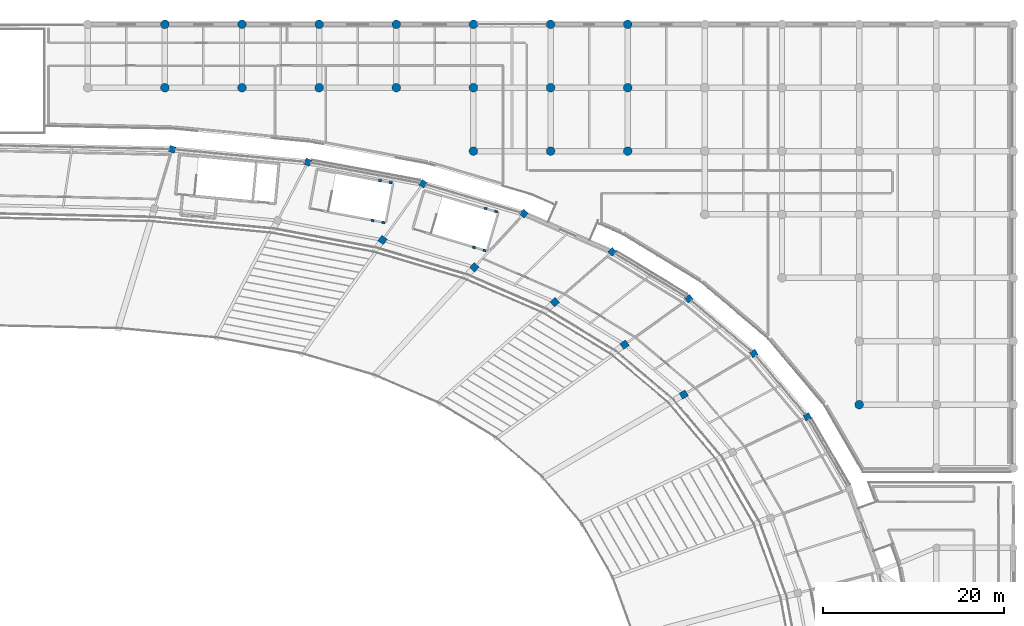
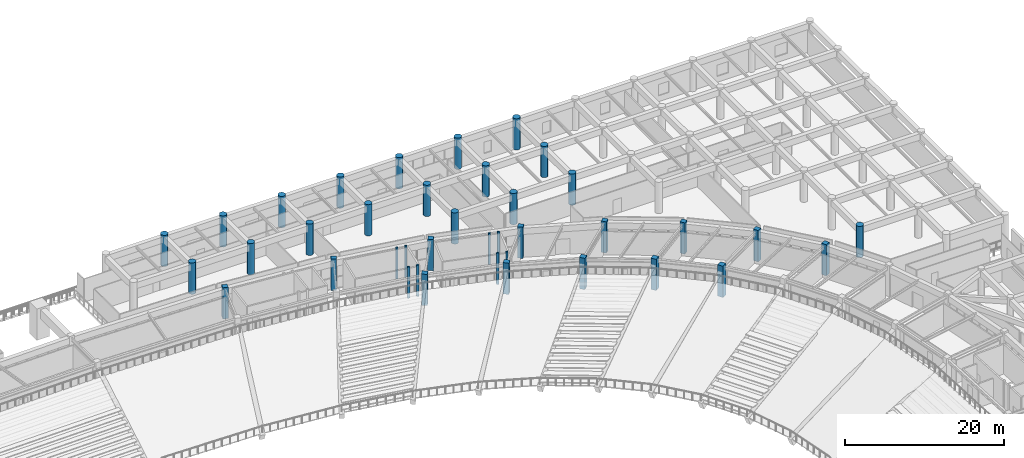
# One storey, part 9 of 137: 39 columns.
"""IFC4 building model written with IfcOpenShell, lengths in metres."""

from ifc_helpers import new_model, si_unit, direction, frame, origin, origin_2d, place, context, subcontext, project, spatial, rectangle, circle, extrude, material, material_profile, profile_set, type_object, element, save


model = new_model("IFC4")

# Units and contexts
model_context = context("Model", 3, precision=1e-05, world=origin(), true_north=direction((0.0, 1.0)))
body_context = subcontext(model_context, "Body", "Model", "MODEL_VIEW")
ifc_project = project(units=[si_unit("LENGTHUNIT", "METRE"), si_unit("AREAUNIT", "SQUARE_METRE"), si_unit("VOLUMEUNIT", "CUBIC_METRE"), si_unit("PLANEANGLEUNIT", "RADIAN"), si_unit("MASSUNIT", "GRAM", prefix="KILO")], contexts=[model_context])

# Site, building, storey
site_placement = place(None, origin())
site = spatial("IfcSite", under=ifc_project, at=site_placement, CompositionType="ELEMENT")
building_placement = place(site_placement, origin())
building = spatial("IfcBuilding", under=site, at=building_placement, Name="Mphavela Belvedere Stadium", CompositionType="ELEMENT")
storey_placement = place(building_placement, frame((0.0, 0.0, 19.199951171875)))
storey = spatial("IfcBuildingStorey", under=building, at=storey_placement, Name="L04", CompositionType="ELEMENT", Elevation=19.199951171875)

# Columns
ifc_material_1 = material(Name="Concrete C40/50", Category="concrete")
ifc_material_profile_1 = material_profile(ifc_material_1, rectangle(XDim=0.300048828125, YDim=0.219970703125, at=origin_2d()), Name="RC 300x220")
ifc_profile_set_1 = profile_set([ifc_material_profile_1], Name="Concrete C40/50")
column_type_1 = type_object("IfcColumnType", Name="COL-CORE-POST-300", PredefinedType="COLUMN", material=ifc_profile_set_1)
for number, where, z_axis, x_axis, name in (
    (1, (170.44189453125, 149.372802734375, 0.0), (0.0, 0.0, 1.0), (0.958670893355, -0.284517342588, 0.0), "Core P01 stair frame column L04-1"),
    (2, (171.59228515625, 149.031494140625, 0.0), (0.0, 0.0, 1.0), (0.958670893355, -0.284517342588, 0.0), "Core P01 stair frame column L04-2"),
    (3, (172.8642578125, 153.316650390625, 0.0), (0.0, 0.0, 1.0), (0.958670893355, -0.284517342588, 0.0), "Core P01 stair frame column L04-3"),
    (4, (171.7138671875, 153.658203125, 0.0), (0.0, 0.0, 1.0), (0.958670893355, -0.284517342588, 0.0), "Core P01 stair frame column L04-4"),
    (5, (159.233154296875, 152.34033203125, 0.0), (0.0, 0.0, 1.0), (0.983095502692, -0.183093507769, 0.0), "Core P02 stair frame column L04-1"),
    (6, (160.4130859375, 152.12060546875, 0.0), (0.0, 0.0, 1.0), (0.983095502692, -0.183093507769, 0.0), "Core P02 stair frame column L04-2"),
    (7, (161.2314453125, 156.514892578125, 0.0), (0.0, 0.0, 1.0), (0.983095502692, -0.183093507769, 0.0), "Core P02 stair frame column L04-3"),
    (8, (160.0517578125, 156.734619140625, 0.0), (0.0, 0.0, 1.0), (0.983095502692, -0.183093507769, 0.0), "Core P02 stair frame column L04-4"),
):
    element("IfcColumn", number, at=place(storey_placement, frame(where, z_axis=z_axis, x_axis=x_axis)), inside=storey, type_object=column_type_1, Name=name, PredefinedType="COLUMN", context=body_context, shape_type="SweptSolid", body=[
        extrude(rectangle(XDim=0.300048828125, YDim=0.219970703125, at=origin_2d()), origin(), (0.0, 0.0, 1.0), 4.800048828125),
    ])
ifc_material_2 = material(Name="Concrete C40/50", Category="concrete")
ifc_material_profile_2 = material_profile(ifc_material_2, circle(Radius=0.47509765625, at=origin_2d()), Name="COL D950")
ifc_profile_set_2 = profile_set([ifc_material_profile_2], Name="Concrete C40/50")
column_type_2 = type_object("IfcColumnType", Name="COL-DORIC-950", PredefinedType="COLUMN", material=ifc_profile_set_2)
for number, where, z_axis, x_axis, name in (
    (9, (136.2958984375, 167.0, 0.0), (0.0, 0.0, 1.0), (1.0, 0.0, 0.0), "North Mast and Ceremonial End Forecourt classical column L04 17-7"),
    (10, (136.2958984375, 174.0, 0.0), (0.0, 0.0, 1.0), (1.0, 0.0, 0.0), "North Mast and Ceremonial End Forecourt classical column L04 17-8"),
    (11, (144.81494140625, 167.0, 0.0), (0.0, 0.0, 1.0), (1.0, 0.0, 0.0), "North Mast and Ceremonial End Forecourt classical column L04 18-7"),
    (12, (144.81494140625, 174.0, 0.0), (0.0, 0.0, 1.0), (1.0, 0.0, 0.0), "North Mast and Ceremonial End Forecourt classical column L04 18-8"),
    (13, (153.3330078125, 167.0, 0.0), (0.0, 0.0, 1.0), (1.0, 0.0, 0.0), "North Mast and Ceremonial End Forecourt classical column L04 19-7"),
    (14, (153.3330078125, 174.0, 0.0), (0.0, 0.0, 1.0), (1.0, 0.0, 0.0), "North Mast and Ceremonial End Forecourt classical column L04 19-8"),
    (15, (161.85205078125, 167.0, 0.0), (0.0, 0.0, 1.0), (1.0, 0.0, 0.0), "North Mast and Ceremonial End Forecourt classical column L04 20-7"),
    (16, (161.85205078125, 174.0, 0.0), (0.0, 0.0, 1.0), (1.0, 0.0, 0.0), "North Mast and Ceremonial End Forecourt classical column L04 20-8"),
    (17, (170.3701171875, 160.0, 0.0), (0.0, 0.0, 1.0), (1.0, 0.0, 0.0), "North Mast and Ceremonial End Forecourt classical column L04 21-6"),
    (18, (170.3701171875, 167.0, 0.0), (0.0, 0.0, 1.0), (1.0, 0.0, 0.0), "North Mast and Ceremonial End Forecourt classical column L04 21-7"),
    (19, (170.3701171875, 174.0, 0.0), (0.0, 0.0, 1.0), (1.0, 0.0, 0.0), "North Mast and Ceremonial End Forecourt classical column L04 21-8"),
    (20, (178.888916015625, 160.0, 0.0), (0.0, 0.0, 1.0), (1.0, 0.0, 0.0), "North Mast and Ceremonial End Forecourt classical column L04 22-6"),
    (21, (178.888916015625, 167.0, 0.0), (0.0, 0.0, 1.0), (1.0, 0.0, 0.0), "North Mast and Ceremonial End Forecourt classical column L04 22-7"),
    (22, (178.888916015625, 174.0, 0.0), (0.0, 0.0, 1.0), (1.0, 0.0, 0.0), "North Mast and Ceremonial End Forecourt classical column L04 22-8"),
    (23, (187.406982421875, 160.0, 0.0), (0.0, 0.0, 1.0), (1.0, 0.0, 0.0), "North Mast and Ceremonial End Forecourt classical column L04 23-6"),
    (24, (187.406982421875, 167.0, 0.0), (0.0, 0.0, 1.0), (1.0, 0.0, 0.0), "North Mast and Ceremonial End Forecourt classical column L04 23-7"),
    (25, (187.406982421875, 174.0, 0.0), (0.0, 0.0, 1.0), (1.0, 0.0, 0.0), "North Mast and Ceremonial End Forecourt classical column L04 23-8"),
    (26, (212.962890625, 132.0, 0.0), (0.0, 0.0, 1.0), (1.0, 0.0, 0.0), "North Mast and Ceremonial End Forecourt classical column L04 26-2"),
):
    element("IfcColumn", number, at=place(storey_placement, frame(where, z_axis=z_axis, x_axis=x_axis)), inside=storey, type_object=column_type_2, Name=name, PredefinedType="COLUMN", context=body_context, shape_type="SweptSolid", body=[
        extrude(circle(Radius=0.47509765625, at=origin_2d()), origin(), (0.0, 0.0, 1.0), 4.800048828125),
    ])
ifc_material_3 = material(Name="Concrete C40/50", Category="concrete")
ifc_material_profile_3 = material_profile(ifc_material_3, rectangle(XDim=0.699951171875, YDim=0.699951171875, at=origin_2d()), Name="RC 700x700")
ifc_profile_set_3 = profile_set([ifc_material_profile_3], Name="Concrete C40/50")
column_type_3 = type_object("IfcColumnType", Name="COL-RC700", PredefinedType="COLUMN", material=ifc_profile_set_3)
for number, where, z_axis, x_axis, name in (
    (27, (207.242431640625, 130.66162109375, 0.0), (0.0, 0.0, 1.0), (0.903858661687, 0.4278311813, 0.0), "Outer colonnade column L04 R4-05"),
    (28, (201.33837890625, 137.653564453125, 0.0), (0.0, 0.0, 1.0), (0.862513669207, 0.506033764121, 0.0), "Outer colonnade column L04 R4-06"),
    (29, (194.155517578125, 143.714599609375, 0.0), (0.0, 0.0, 1.0), (0.812897512265, 0.582406760395, 0.0), "Outer colonnade column L04 R4-07"),
    (30, (185.6962890625, 148.86083984375, 0.0), (0.0, 0.0, 1.0), (0.752529860433, 0.658558128912, 0.0), "Outer colonnade column L04 R4-08"),
    (31, (175.9375, 153.09130859375, 0.0), (0.0, 0.0, 1.0), (0.677903094969, 0.735151272753, 0.0), "Outer colonnade column L04 R4-09"),
    (32, (164.80126953125, 156.39697265625, 0.0), (0.0, 0.0, 1.0), (0.582974127943, 0.812490717577, 0.0), "Outer colonnade column L04 R4-10"),
    (33, (152.07275390625, 158.767333984375, 0.0), (0.0, 0.0, 1.0), (0.458959712465, 0.888457079624, 0.0), "Outer colonnade column L04 R4-11"),
    (34, (137.114501953125, 160.19384765625, 0.0), (0.0, 0.0, 1.0), (0.289198876314, 0.957269037387, 0.0), "Outer colonnade column L04 R4-12"),
):
    element("IfcColumn", number, at=place(storey_placement, frame(where, z_axis=z_axis, x_axis=x_axis)), inside=storey, type_object=column_type_3, Name=name, PredefinedType="COLUMN", context=body_context, shape_type="SweptSolid", body=[
        extrude(rectangle(XDim=0.699951171875, YDim=0.699951171875, at=origin_2d()), origin(), (0.0, 0.0, 1.0), 4.800048828125),
    ])
ifc_material_4 = material(Name="Concrete C40/50", Category="concrete")
ifc_material_profile_4 = material_profile(ifc_material_4, rectangle(XDim=0.75, YDim=0.75, at=origin_2d()), Name="RC 750x750")
ifc_profile_set_4 = profile_set([ifc_material_profile_4], Name="Concrete C40/50")
column_type_4 = type_object("IfcColumnType", Name="COL-RC750", PredefinedType="COLUMN", material=ifc_profile_set_4)
for number, where, z_axis, x_axis, name in (
    (35, (193.600341796875, 133.11376953125, 0.0), (0.0, 0.0, 1.0), (0.862513669207, 0.506033764121, 0.0), "Main bowl column L04 R3-06"),
    (36, (187.061279296875, 138.631591796875, 0.0), (0.0, 0.0, 1.0), (0.812897512265, 0.582406760395, 0.0), "Main bowl column L04 R3-07"),
    (37, (179.360107421875, 143.31689453125, 0.0), (0.0, 0.0, 1.0), (0.752529860433, 0.658558128912, 0.0), "Main bowl column L04 R3-08"),
    (38, (170.476318359375, 147.16796875, 0.0), (0.0, 0.0, 1.0), (0.677903094969, 0.735151272753, 0.0), "Main bowl column L04 R3-09"),
    (39, (160.337890625, 150.177490234375, 0.0), (0.0, 0.0, 1.0), (0.582974127943, 0.812490717577, 0.0), "Main bowl column L04 R3-10"),
):
    element("IfcColumn", number, at=place(storey_placement, frame(where, z_axis=z_axis, x_axis=x_axis)), inside=storey, type_object=column_type_4, Name=name, PredefinedType="COLUMN", context=body_context, shape_type="SweptSolid", body=[
        extrude(rectangle(XDim=0.75, YDim=0.75, at=origin_2d()), origin(), (0.0, 0.0, 1.0), 4.800048828125),
    ])

save(model, "model.ifc")
